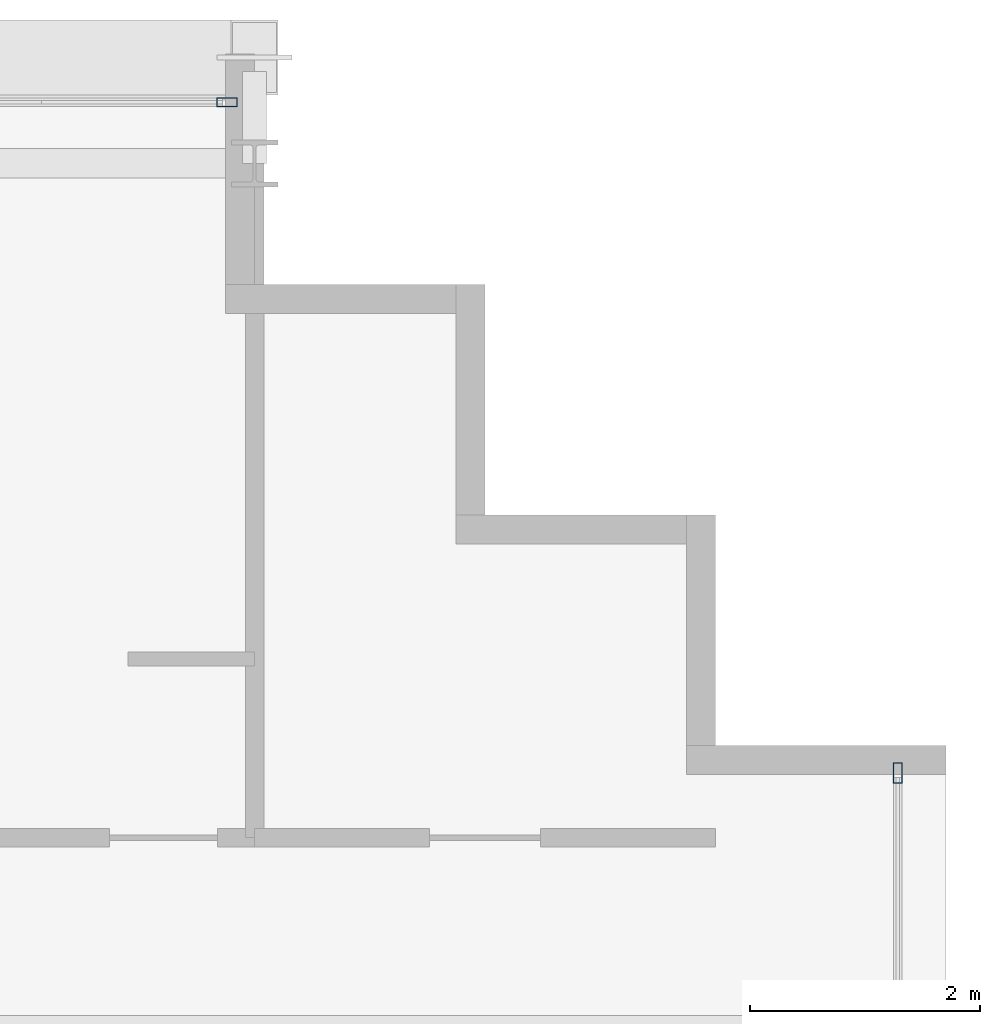
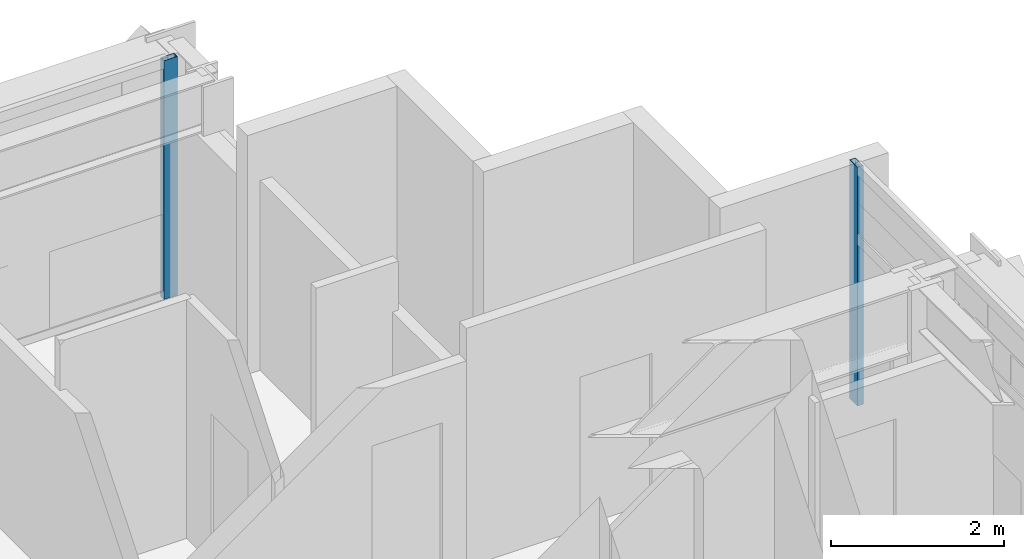
# One storey, part 23 of 37: 2 members, 2 elements without a shape of their own.
"""IFC4 building model written with IfcOpenShell, lengths in metres."""

from ifc_helpers import new_model, si_unit, direction, frame, origin, origin_2d, place, context, subcontext, project, spatial, hollow_rectangle, extrude, source, transform, mapped, material, layer, layer_set, material_profile, profile_set, type_object, element, aggregate, save


model = new_model("IFC4")

# Units and contexts
model_context = context("Model", 3, precision=1e-05, world=origin(), true_north=direction((0.0, 1.0)))
body_context = subcontext(model_context, "Body", "Model", "MODEL_VIEW")
ifc_project = project(units=[si_unit("LENGTHUNIT", "METRE"), si_unit("AREAUNIT", "SQUARE_METRE"), si_unit("VOLUMEUNIT", "CUBIC_METRE"), si_unit("PLANEANGLEUNIT", "RADIAN"), si_unit("MASSUNIT", "GRAM", prefix="KILO")], contexts=[model_context])

# Site, building, storey
site_placement = place(None, origin())
site = spatial("IfcSite", under=ifc_project, at=site_placement, CompositionType="ELEMENT")
building_placement = place(site_placement, origin())
building = spatial("IfcBuilding", under=site, at=building_placement, Name="Ocotamira Hotel", CompositionType="ELEMENT")
storey_placement = place(building_placement, frame((0.0, 0.0, 192.0)))
storey = spatial("IfcBuildingStorey", under=building, at=storey_placement, Name="L48", CompositionType="ELEMENT", Elevation=192.0)

# Curtain wall, member
ifc_material_1 = material(Name="Anodised pale-metal aluminium and solar glass", Category="aluminium")
ifc_layer = layer(ifc_material_1, 0.199951171875)
ifc_layer_set = layer_set([ifc_layer], Name="Anodised pale-metal aluminium and solar glass")
curtain_wall_type = type_object("IfcCurtainWallType", Name="CW-SYS4-Z3", PredefinedType="NOTDEFINED", material=ifc_layer_set)
curtain_wall_1_placement = place(storey_placement, origin())
curtain_wall_1 = element("IfcCurtainWall", 1, at=curtain_wall_1_placement, inside=storey, type_object=curtain_wall_type, Name="L48 Curtain Wall CW-4 CW-L48-N", PredefinedType="NOTDEFINED")
ifc_material_2 = material(Name="Anodised pale-metal aluminium 6063-T6", Category="aluminium")
ifc_material_profile = material_profile(ifc_material_2, hollow_rectangle(XDim=0.080078125, YDim=0.179931640625, WallThickness=0.006103515625, at=origin_2d()), Name="HSS180X80X6")
ifc_profile_set = profile_set([ifc_material_profile], Name="Anodised pale-metal aluminium 6063-T6")
member_type = type_object("IfcMemberType", Name="CWM-180X75", PredefinedType="MULLION", material=ifc_profile_set)
shared_shape = source(origin(), body_context, "Body", "SweptSolid", [
    extrude(hollow_rectangle(XDim=0.080078125, YDim=0.179931640625, WallThickness=0.006103515625, at=origin_2d()), origin(), (0.0, 0.0, 1.0), 3.3701171875),
])
member_1_placement = place(storey_placement, frame((49.760009765625, 45.580078125, 0.0), z_axis=(0.0, 0.0, 1.0), x_axis=(0.0, 1.0, 0.0)))
member_1 = element("IfcMember", 2, at=member_1_placement, type_object=member_type, Name="CW-4 mullion 10", PredefinedType="MULLION", context=body_context, shape_type="MappedRepresentation", body=[
    mapped(shared_shape, transform((0.0, 0.0, 0.0), scale=1.0)),
])
aggregate(curtain_wall_1, [member_1])

curtain_wall_2_placement = place(storey_placement, origin())
curtain_wall_2 = element("IfcCurtainWall", 3, at=curtain_wall_2_placement, inside=storey, type_object=curtain_wall_type, Name="L48 Curtain Wall CW-4 CW-L48-E", PredefinedType="NOTDEFINED")
member_2_placement = place(storey_placement, frame((55.580078125, 39.760009765625, 0.0), z_axis=(0.0, 0.0, 1.0), x_axis=(-1.0, 0.0, 0.0)))
member_2 = element("IfcMember", 4, at=member_2_placement, type_object=member_type, Name="CW-4 mullion 6", PredefinedType="MULLION", context=body_context, shape_type="MappedRepresentation", body=[
    mapped(shared_shape, transform((0.0, 0.0, 0.0), scale=1.0)),
])
aggregate(curtain_wall_2, [member_2])

save(model, "model.ifc")
